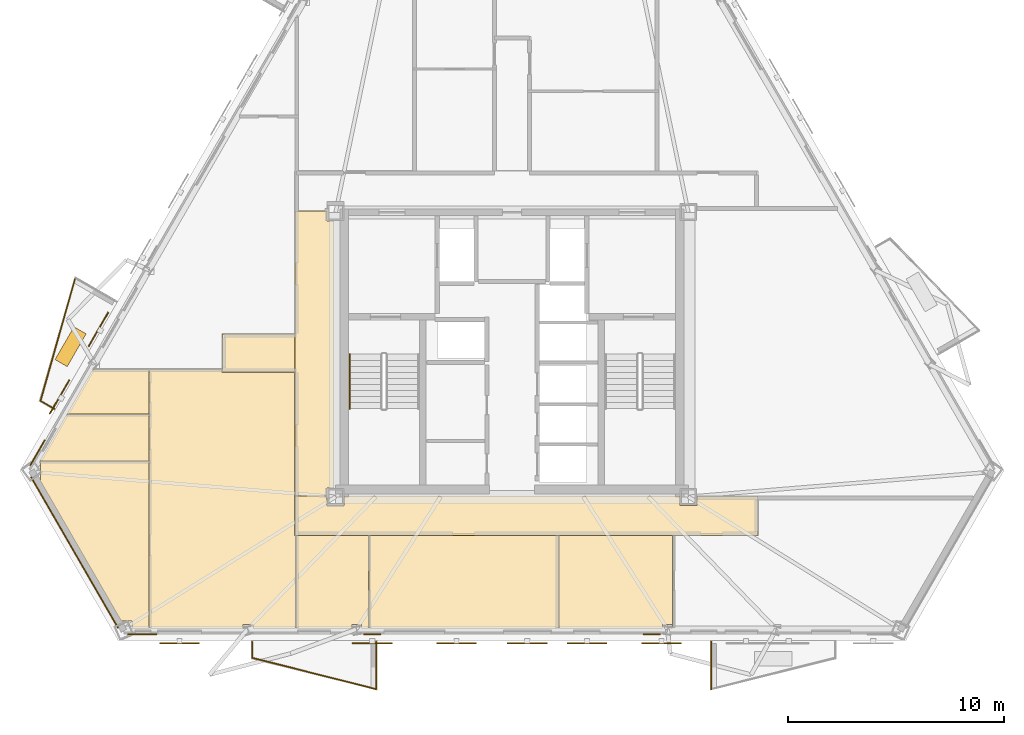
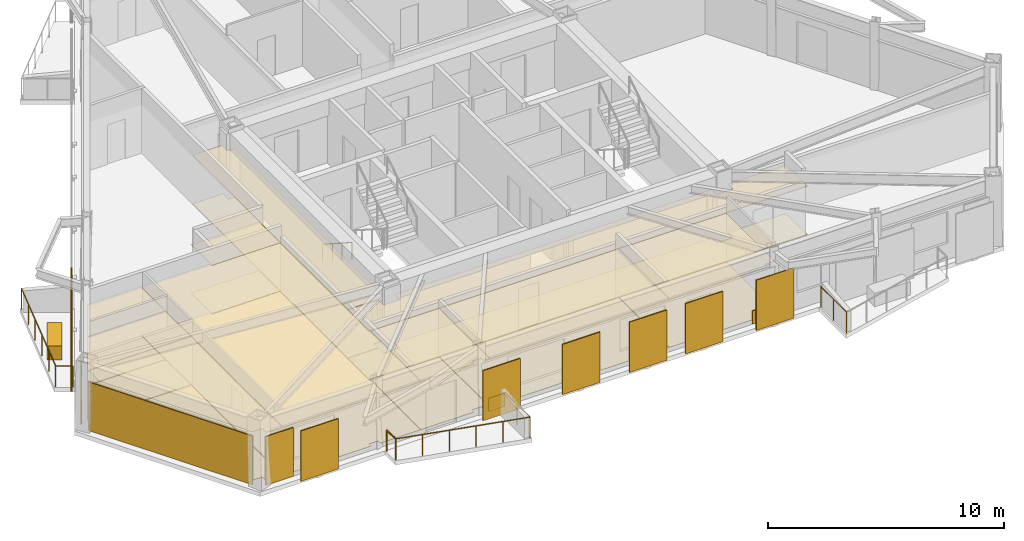
# One storey, part 6 of 8: 26 coverings, 8 shading devices, 7 railings.
"""IFC4 building model written with IfcOpenShell, lengths in metres."""

from ifc_helpers import new_model, si_unit, direction, frame, origin, origin_2d, place, context, subcontext, project, spatial, polyline, rectangle, circle, outline, extrude, material, layer, layer_set, type_object, element, save


model = new_model("IFC4")

# Units and contexts
model_context = context("Model", 3, precision=1e-05, world=origin(), true_north=direction((0.0, 1.0)))
body_context = subcontext(model_context, "Body", "Model", "MODEL_VIEW")
ifc_project = project(units=[si_unit("LENGTHUNIT", "METRE"), si_unit("AREAUNIT", "SQUARE_METRE"), si_unit("VOLUMEUNIT", "CUBIC_METRE"), si_unit("PLANEANGLEUNIT", "RADIAN"), si_unit("MASSUNIT", "GRAM", prefix="KILO")], contexts=[model_context])

# Site, building, storey
site_placement = place(None, origin())
site = spatial("IfcSite", under=ifc_project, at=site_placement, CompositionType="ELEMENT")
building_placement = place(site_placement, origin())
building = spatial("IfcBuilding", under=site, at=building_placement, Name="Oramaril Tower", CompositionType="ELEMENT")
storey_placement = place(building_placement, frame((0.0, 0.0, 171.0)))
storey = spatial("IfcBuildingStorey", under=building, at=storey_placement, Name="L45", CompositionType="ELEMENT", Elevation=171.0)

# Coverings
ifc_material_1 = material(Name="Mineral Fibre Acoustic Ceiling")
ifc_layer_1 = layer(ifc_material_1, 0.02001953125)
ifc_layer_set_1 = layer_set([ifc_layer_1], Name="CVT-CEIL")
covering_type_1 = type_object("IfcCoveringType", Name="CVT-CEIL", PredefinedType="CEILING", material=ifc_layer_set_1)
covering_1_placement = place(storey_placement, frame((0.0, 0.0, 2.511962890625)))
element("IfcCovering", 1, at=covering_1_placement, inside=storey, type_object=covering_type_1, Name="L45 Acoustic Suspended Ceiling 1", PredefinedType="CEILING", context=body_context, shape_type="SweptSolid", body=[
    extrude(outline(polyline([(28.955078125, 10.60498046875), (29.7451171875, 10.60498046875), (29.7451171875, 11.030029296875), (45.2548828125, 11.030029296875), (45.2548828125, 10.60498046875), (46.044921875, 10.60498046875), (46.044921875, 11.030029296875), (48.8798828125, 11.030029296875), (48.8798828125, 9.219970703125), (27.469970703125, 9.219970703125), (27.469970703125, 11.030029296875), (28.955078125, 11.030029296875), (28.955078125, 10.60498046875)])), origin(), (0.0, 0.0, 1.0), 0.02001953125),
])
covering_2_placement = place(storey_placement, frame((0.0, 0.0, 2.511962890625)))
element("IfcCovering", 2, at=covering_2_placement, inside=storey, type_object=covering_type_1, Name="L45 Acoustic Suspended Ceiling 3", PredefinedType="CEILING", context=body_context, shape_type="SweptSolid", body=[
    extrude(outline(polyline([(28.955078125, 23.7548828125), (29.280029296875, 23.7548828125), (29.280029296875, 11.39501953125), (28.955078125, 11.39501953125), (28.955078125, 11.050048828125), (27.469970703125, 11.050048828125), (27.469970703125, 24.219970703125), (28.955078125, 24.219970703125), (28.955078125, 23.7548828125)])), origin(), (0.0, 0.0, 1.0), 0.02001953125),
])
covering_3_placement = place(storey_placement, frame((0.0, 0.0, 2.511962890625)))
element("IfcCovering", 3, at=covering_3_placement, inside=storey, type_object=covering_type_1, Name="L45 Acoustic Suspended Ceiling 5", PredefinedType="CEILING", context=body_context, shape_type="SweptSolid", body=[
    extrude(outline(polyline([(24.1201171875, 16.77001953125), (24.1201171875, 18.530029296875), (27.449951171875, 18.530029296875), (27.449951171875, 16.77001953125), (24.1201171875, 16.77001953125)])), origin(), (0.0, 0.0, 1.0), 0.02001953125),
])
covering_4_placement = place(storey_placement, frame((0.0, 0.0, 2.511962890625)))
element("IfcCovering", 4, at=covering_4_placement, inside=storey, type_object=covering_type_1, Name="L45 Acoustic Suspended Ceiling 6", PredefinedType="CEILING", context=body_context, shape_type="SweptSolid", body=[
    extrude(outline(polyline([(30.882080078125, 4.918701171875), (30.882080078125, 9.199951171875), (39.64208984375, 9.199951171875), (39.64208984375, 4.918701171875), (30.882080078125, 4.918701171875)])), origin(), (0.0, 0.0, 1.0), 0.02001953125),
])
covering_5_placement = place(storey_placement, frame((0.0, 0.0, 2.511962890625)))
element("IfcCovering", 5, at=covering_5_placement, inside=storey, type_object=covering_type_1, Name="L45 Acoustic Suspended Ceiling 7", PredefinedType="CEILING", context=body_context, shape_type="SweptSolid", body=[
    extrude(outline(polyline([(30.546142578125, 5.103515625), (30.094482421875, 5.103515625), (30.094482421875, 4.918701171875), (27.508056640625, 4.918701171875), (27.508056640625, 9.199951171875), (30.862060546875, 9.199951171875), (30.862060546875, 4.918701171875), (30.546142578125, 4.918701171875), (30.546142578125, 5.103515625)])), origin(), (0.0, 0.0, 1.0), 0.02001953125),
])
covering_6_placement = place(storey_placement, frame((0.0, 0.0, 2.511962890625)))
element("IfcCovering", 6, at=covering_6_placement, inside=storey, type_object=covering_type_1, Name="L45 Acoustic Suspended Ceiling 9", PredefinedType="CEILING", context=body_context, shape_type="SweptSolid", body=[
    extrude(outline(polyline([(44.905517578125, 4.918701171875), (44.905517578125, 5.103515625), (44.453857421875, 5.103515625), (44.453857421875, 4.918701171875), (39.662109375, 4.918701171875), (39.662109375, 9.199951171875), (44.915283203125, 9.199951171875), (44.915283203125, 4.918701171875), (44.905517578125, 4.918701171875)])), origin(), (0.0, 0.0, 1.0), 0.02001953125),
])
covering_7_placement = place(storey_placement, frame((0.0, 0.0, 2.511962890625)))
element("IfcCovering", 7, at=covering_7_placement, inside=storey, type_object=covering_type_1, Name="L45 Acoustic Suspended Ceiling 10", PredefinedType="CEILING", context=body_context, shape_type="SweptSolid", body=[
    extrude(outline(polyline([(25.52490234375, 4.918701171875), (25.52490234375, 5.103515625), (25.064453125, 5.103515625), (25.064453125, 4.918701171875), (20.74072265625, 4.918701171875), (20.74072265625, 16.89208984375), (24.10009765625, 16.89208984375), (24.10009765625, 16.77001953125), (24.10009765625, 16.76806640625), (24.100341796875, 16.76611328125), (24.100830078125, 16.76416015625), (24.1015625, 16.76220703125), (24.102294921875, 16.760498046875), (24.103515625, 16.7587890625), (24.1044921875, 16.75732421875), (24.10595703125, 16.755859375), (24.107421875, 16.75439453125), (24.10888671875, 16.75341796875), (24.110595703125, 16.75244140625), (24.1123046875, 16.75146484375), (24.1142578125, 16.7509765625), (24.1162109375, 16.75048828125), (24.117919921875, 16.75), (24.1201171875, 16.75), (27.449951171875, 16.75), (27.449951171875, 11.050048828125), (27.4501953125, 11.048095703125), (27.450439453125, 11.046142578125), (27.450927734375, 11.044189453125), (27.451416015625, 11.042236328125), (27.452392578125, 11.04052734375), (27.45263671875, 11.0400390625), (27.452392578125, 11.039306640625), (27.451416015625, 11.03759765625), (27.450927734375, 11.035888671875), (27.450439453125, 11.033935546875), (27.4501953125, 11.031982421875), (27.449951171875, 11.030029296875), (27.449951171875, 9.219970703125), (27.4501953125, 9.218017578125), (27.450439453125, 9.216064453125), (27.450927734375, 9.214111328125), (27.451416015625, 9.21240234375), (27.452392578125, 9.210693359375), (27.453369140625, 9.208984375), (27.45458984375, 9.207275390625), (27.455810546875, 9.205810546875), (27.457275390625, 9.20458984375), (27.458984375, 9.203369140625), (27.460693359375, 9.202392578125), (27.46240234375, 9.201416015625), (27.464111328125, 9.200927734375), (27.466064453125, 9.200439453125), (27.468017578125, 9.2001953125), (27.469970703125, 9.199951171875), (27.488037109375, 9.199951171875), (27.488037109375, 4.918701171875), (25.52490234375, 4.918701171875)])), origin(), (0.0, 0.0, 1.0), 0.02001953125),
])
covering_8_placement = place(storey_placement, frame((0.0, 0.0, 2.511962890625)))
element("IfcCovering", 8, at=covering_8_placement, inside=storey, type_object=covering_type_1, Name="L45 Acoustic Suspended Ceiling 11", PredefinedType="CEILING", context=body_context, shape_type="SweptSolid", body=[
    extrude(outline(polyline([(19.936767578125, 4.918701171875), (19.936767578125, 5.25390625), (19.435546875, 5.25390625), (15.667724609375, 11.780029296875), (15.710205078125, 11.780029296875), (15.710205078125, 12.583984375), (15.630615234375, 12.583984375), (15.66259765625, 12.639404296875), (20.720703125, 12.639404296875), (20.720703125, 4.918701171875), (19.936767578125, 4.918701171875)])), origin(), (0.0, 0.0, 1.0), 0.02001953125),
])
covering_9_placement = place(storey_placement, frame((0.0, 0.0, 2.511962890625)))
element("IfcCovering", 9, at=covering_9_placement, inside=storey, type_object=covering_type_1, Name="L45 Acoustic Suspended Ceiling 12", PredefinedType="CEILING", context=body_context, shape_type="SweptSolid", body=[
    extrude(outline(polyline([(16.911376953125, 14.80224609375), (20.720703125, 14.80224609375), (20.720703125, 12.659423828125), (15.67431640625, 12.659423828125), (16.911376953125, 14.80224609375)])), origin(), (0.0, 0.0, 1.0), 0.02001953125),
])
covering_10_placement = place(storey_placement, frame((0.0, 0.0, 2.511962890625)))
element("IfcCovering", 10, at=covering_10_placement, inside=storey, type_object=covering_type_1, Name="L45 Acoustic Suspended Ceiling 13", PredefinedType="CEILING", context=body_context, shape_type="SweptSolid", body=[
    extrude(outline(polyline([(18.117919921875, 16.89208984375), (20.720703125, 16.89208984375), (20.720703125, 14.822265625), (16.9228515625, 14.822265625), (18.117919921875, 16.89208984375)])), origin(), (0.0, 0.0, 1.0), 0.02001953125),
])
ifc_material_2 = material(Name="Warm Cream Limestone", Category="masonry")
ifc_layer_2 = layer(ifc_material_2, 0.050048828125)
ifc_layer_set_2 = layer_set([ifc_layer_2], Name="CVT-CLD")
covering_type_2 = type_object("IfcCoveringType", Name="CVT-CLD", PredefinedType="CLADDING", material=ifc_layer_set_2)
covering_11_placement = place(storey_placement, frame((17.2841796875, 8.428466796875, 0.0400390625), z_axis=(0.0, 0.0, 1.0), x_axis=(0.4999984885, -0.866026276448, 0.0)))
element("IfcCovering", 11, at=covering_11_placement, inside=storey, type_object=covering_type_2, Name="L45 Warm Cream Limestone Cladding", PredefinedType="CLADDING", context=body_context, shape_type="SweptSolid", body=[
    extrude(rectangle(XDim=8.048828125, YDim=0.050048828125, at=origin_2d()), origin(), (0.0, 0.0, 1.0), 2.52001953125),
])
covering_12_placement = place(storey_placement, frame((20.416748046875, 4.642578125, 0.0400390625), z_axis=(0.0, 0.0, 1.0), x_axis=(1.0, 0.0, 0.0)))
element("IfcCovering", 12, at=covering_12_placement, inside=storey, type_object=covering_type_2, Name="L45 Warm Cream Limestone Cladding", PredefinedType="CLADDING", context=body_context, shape_type="SweptSolid", body=[
    extrude(rectangle(XDim=1.35009765625, YDim=0.050048828125, at=origin_2d()), origin(), (0.0, 0.0, 1.0), 2.52001953125),
])
for number, where, z_axis, x_axis, name in (
    (13, (31.0439453125, 4.642578125, 0.0400390625), (0.0, 0.0, 1.0), (1.0, 0.0, 0.0), "L45 Warm Cream Limestone Spandrel Cladding"),
    (14, (43.9560546875, 4.642578125, 0.0400390625), (0.0, 0.0, 1.0), (1.0, 0.0, 0.0), "L45 Warm Cream Limestone Spandrel Cladding"),
):
    element("IfcCovering", number, at=place(storey_placement, frame(where, z_axis=z_axis, x_axis=x_axis)), inside=storey, type_object=covering_type_2, Name=name, PredefinedType="CLADDING", context=body_context, shape_type="SweptSolid", body=[
        extrude(rectangle(XDim=0.800048828125, YDim=0.050048828125, at=origin_2d()), origin(), (0.0, 0.0, 1.0), 0.679931640625),
    ])
covering_13_placement = place(storey_placement, frame((15.572021484375, 13.0341796875, 0.0400390625), z_axis=(0.0, 0.0, 1.0), x_axis=(-0.5, -0.866025403784, 0.0)))
element("IfcCovering", 15, at=covering_13_placement, inside=storey, type_object=covering_type_2, Name="L45 Warm Cream Limestone Cladding", PredefinedType="CLADDING", context=body_context, shape_type="SweptSolid", body=[
    extrude(rectangle(XDim=1.35009765625, YDim=0.050048828125, at=origin_2d()), origin(), (0.0, 0.0, 1.0), 2.52001953125),
])
covering_14_placement = place(storey_placement, frame((17.09912109375, 17.936767578125, 0.0), z_axis=(0.0, 0.0, 1.0), x_axis=(-0.500001511499, -0.866024531118, 0.0)))
element("IfcCovering", 16, at=covering_14_placement, inside=storey, type_object=covering_type_2, Name="L45 Structural Tree Planter Box L45-BAL-NW2", PredefinedType="CLADDING", context=body_context, shape_type="SweptSolid", body=[
    extrude(rectangle(XDim=1.75, YDim=0.64990234375, at=origin_2d()), origin(), (0.0, 0.0, 1.0), 0.699951171875),
])
ifc_material_3 = material(Name="Honed Quartzite Stone Flooring", Category="masonry")
ifc_layer_3 = layer(ifc_material_3, 0.02490234375)
ifc_layer_set_3 = layer_set([ifc_layer_3], Name="CVT-FLR")
covering_type_3 = type_object("IfcCoveringType", Name="CVT-FLR", PredefinedType="FLOORING", material=ifc_layer_set_3)
covering_15_placement = place(storey_placement, origin())
element("IfcCovering", 17, at=covering_15_placement, inside=storey, type_object=covering_type_3, Name="L45 Honed Stone Floor Finish 1", PredefinedType="FLOORING", context=body_context, shape_type="SweptSolid", body=[
    extrude(outline(polyline([(28.955078125, 10.60498046875), (29.7451171875, 10.60498046875), (29.7451171875, 11.030029296875), (45.2548828125, 11.030029296875), (45.2548828125, 10.60498046875), (46.044921875, 10.60498046875), (46.044921875, 11.030029296875), (48.8798828125, 11.030029296875), (48.8798828125, 9.219970703125), (27.469970703125, 9.219970703125), (27.469970703125, 11.030029296875), (28.955078125, 11.030029296875), (28.955078125, 10.60498046875)])), origin(), (0.0, 0.0, 1.0), 0.02490234375),
])
covering_16_placement = place(storey_placement, origin())
element("IfcCovering", 18, at=covering_16_placement, inside=storey, type_object=covering_type_3, Name="L45 Honed Stone Floor Finish 3", PredefinedType="FLOORING", context=body_context, shape_type="SweptSolid", body=[
    extrude(outline(polyline([(28.955078125, 23.7548828125), (29.280029296875, 23.7548828125), (29.280029296875, 11.39501953125), (28.955078125, 11.39501953125), (28.955078125, 11.050048828125), (27.469970703125, 11.050048828125), (27.469970703125, 24.219970703125), (28.955078125, 24.219970703125), (28.955078125, 23.7548828125)])), origin(), (0.0, 0.0, 1.0), 0.02490234375),
])
covering_17_placement = place(storey_placement, origin())
element("IfcCovering", 19, at=covering_17_placement, inside=storey, type_object=covering_type_3, Name="L45 Honed Stone Floor Finish 5", PredefinedType="FLOORING", context=body_context, shape_type="SweptSolid", body=[
    extrude(outline(polyline([(24.1201171875, 16.77001953125), (24.1201171875, 18.530029296875), (27.449951171875, 18.530029296875), (27.449951171875, 16.77001953125), (24.1201171875, 16.77001953125)])), origin(), (0.0, 0.0, 1.0), 0.02490234375),
])
covering_18_placement = place(storey_placement, origin())
element("IfcCovering", 20, at=covering_18_placement, inside=storey, type_object=covering_type_3, Name="L45 Honed Stone Floor Finish 6", PredefinedType="FLOORING", context=body_context, shape_type="SweptSolid", body=[
    extrude(outline(polyline([(30.882080078125, 4.918701171875), (30.882080078125, 9.199951171875), (39.64208984375, 9.199951171875), (39.64208984375, 4.918701171875), (30.882080078125, 4.918701171875)])), origin(), (0.0, 0.0, 1.0), 0.02490234375),
])
covering_19_placement = place(storey_placement, origin())
element("IfcCovering", 21, at=covering_19_placement, inside=storey, type_object=covering_type_3, Name="L45 Honed Stone Floor Finish 7", PredefinedType="FLOORING", context=body_context, shape_type="SweptSolid", body=[
    extrude(outline(polyline([(30.546142578125, 5.103515625), (30.094482421875, 5.103515625), (30.094482421875, 4.918701171875), (27.508056640625, 4.918701171875), (27.508056640625, 9.199951171875), (30.862060546875, 9.199951171875), (30.862060546875, 4.918701171875), (30.546142578125, 4.918701171875), (30.546142578125, 5.103515625)])), origin(), (0.0, 0.0, 1.0), 0.02490234375),
])
covering_20_placement = place(storey_placement, origin())
element("IfcCovering", 22, at=covering_20_placement, inside=storey, type_object=covering_type_3, Name="L45 Honed Stone Floor Finish 9", PredefinedType="FLOORING", context=body_context, shape_type="SweptSolid", body=[
    extrude(outline(polyline([(44.905517578125, 4.918701171875), (44.905517578125, 5.103515625), (44.453857421875, 5.103515625), (44.453857421875, 4.918701171875), (39.662109375, 4.918701171875), (39.662109375, 9.199951171875), (44.915283203125, 9.199951171875), (44.915283203125, 4.918701171875), (44.905517578125, 4.918701171875)])), origin(), (0.0, 0.0, 1.0), 0.02490234375),
])
covering_21_placement = place(storey_placement, origin())
element("IfcCovering", 23, at=covering_21_placement, inside=storey, type_object=covering_type_3, Name="L45 Honed Stone Floor Finish 10", PredefinedType="FLOORING", context=body_context, shape_type="SweptSolid", body=[
    extrude(outline(polyline([(25.52490234375, 4.918701171875), (25.52490234375, 5.103515625), (25.064453125, 5.103515625), (25.064453125, 4.918701171875), (20.74072265625, 4.918701171875), (20.74072265625, 16.89208984375), (24.10009765625, 16.89208984375), (24.10009765625, 16.77001953125), (24.10009765625, 16.76806640625), (24.100341796875, 16.76611328125), (24.100830078125, 16.76416015625), (24.1015625, 16.76220703125), (24.102294921875, 16.760498046875), (24.103515625, 16.7587890625), (24.1044921875, 16.75732421875), (24.10595703125, 16.755859375), (24.107421875, 16.75439453125), (24.10888671875, 16.75341796875), (24.110595703125, 16.75244140625), (24.1123046875, 16.75146484375), (24.1142578125, 16.7509765625), (24.1162109375, 16.75048828125), (24.117919921875, 16.75), (24.1201171875, 16.75), (27.449951171875, 16.75), (27.449951171875, 11.050048828125), (27.4501953125, 11.048095703125), (27.450439453125, 11.046142578125), (27.450927734375, 11.044189453125), (27.451416015625, 11.042236328125), (27.452392578125, 11.04052734375), (27.45263671875, 11.0400390625), (27.452392578125, 11.039306640625), (27.451416015625, 11.03759765625), (27.450927734375, 11.035888671875), (27.450439453125, 11.033935546875), (27.4501953125, 11.031982421875), (27.449951171875, 11.030029296875), (27.449951171875, 9.219970703125), (27.4501953125, 9.218017578125), (27.450439453125, 9.216064453125), (27.450927734375, 9.214111328125), (27.451416015625, 9.21240234375), (27.452392578125, 9.210693359375), (27.453369140625, 9.208984375), (27.45458984375, 9.207275390625), (27.455810546875, 9.205810546875), (27.457275390625, 9.20458984375), (27.458984375, 9.203369140625), (27.460693359375, 9.202392578125), (27.46240234375, 9.201416015625), (27.464111328125, 9.200927734375), (27.466064453125, 9.200439453125), (27.468017578125, 9.2001953125), (27.469970703125, 9.199951171875), (27.488037109375, 9.199951171875), (27.488037109375, 4.918701171875), (25.52490234375, 4.918701171875)])), origin(), (0.0, 0.0, 1.0), 0.02490234375),
])
covering_22_placement = place(storey_placement, origin())
element("IfcCovering", 24, at=covering_22_placement, inside=storey, type_object=covering_type_3, Name="L45 Honed Stone Floor Finish 11", PredefinedType="FLOORING", context=body_context, shape_type="SweptSolid", body=[
    extrude(outline(polyline([(19.936767578125, 4.918701171875), (19.936767578125, 5.25390625), (19.435546875, 5.25390625), (15.667724609375, 11.780029296875), (15.710205078125, 11.780029296875), (15.710205078125, 12.583984375), (15.630615234375, 12.583984375), (15.66259765625, 12.639404296875), (20.720703125, 12.639404296875), (20.720703125, 4.918701171875), (19.936767578125, 4.918701171875)])), origin(), (0.0, 0.0, 1.0), 0.02490234375),
])
covering_23_placement = place(storey_placement, origin())
element("IfcCovering", 25, at=covering_23_placement, inside=storey, type_object=covering_type_3, Name="L45 Honed Stone Floor Finish 12", PredefinedType="FLOORING", context=body_context, shape_type="SweptSolid", body=[
    extrude(outline(polyline([(16.911376953125, 14.80224609375), (20.720703125, 14.80224609375), (20.720703125, 12.659423828125), (15.67431640625, 12.659423828125), (16.911376953125, 14.80224609375)])), origin(), (0.0, 0.0, 1.0), 0.02490234375),
])
covering_24_placement = place(storey_placement, origin())
element("IfcCovering", 26, at=covering_24_placement, inside=storey, type_object=covering_type_3, Name="L45 Honed Stone Floor Finish 13", PredefinedType="FLOORING", context=body_context, shape_type="SweptSolid", body=[
    extrude(outline(polyline([(18.117919921875, 16.89208984375), (20.720703125, 16.89208984375), (20.720703125, 14.822265625), (16.9228515625, 14.822265625), (18.117919921875, 16.89208984375)])), origin(), (0.0, 0.0, 1.0), 0.02490234375),
])

# Railings
ifc_material_4 = material(Name="Stainless Steel 316L", Category="steel")
railing_type_1 = type_object("IfcRailingType", Name="RLT-GRD", PredefinedType="GUARDRAIL", material=ifc_material_4)
railing_1_placement = place(storey_placement, frame((31.21630859375, 4.302490234375, 0.0)))
element("IfcRailing", 27, at=railing_1_placement, inside=storey, type_object=railing_type_1, Name="L45 Balcony Guardrail L45-BAL-S1.1", PredefinedType="GUARDRAIL", context=body_context, shape_type="SweptSolid", body=[
    extrude(circle(Radius=0.02392578125, at=origin_2d()), frame((0.0, 0.0, 1.076171875), z_axis=(0.0, -1.0, 0.0), x_axis=(1.0, 0.0, 0.0)), (0.0, 0.0, 1.0), 2.19189453125),
    extrude(circle(Radius=0.02099609375, at=origin_2d()), origin(), (0.0, 0.0, 1.0), 1.052001953125),
    extrude(circle(Radius=0.02099609375, at=origin_2d()), frame((0.0, -1.095947265625, 0.0)), (0.0, 0.0, 1.0), 1.052001953125),
    extrude(circle(Radius=0.02099609375, at=origin_2d()), frame((0.0, -2.19189453125, 0.0)), (0.0, 0.0, 1.0), 1.052001953125),
])
railing_2_placement = place(storey_placement, frame((31.21630859375, 2.110595703125, 0.0)))
element("IfcRailing", 28, at=railing_2_placement, inside=storey, type_object=railing_type_1, Name="L45 Balcony Guardrail L45-BAL-S1.2", PredefinedType="GUARDRAIL", context=body_context, shape_type="SweptSolid", body=[
    extrude(circle(Radius=0.02392578125, at=origin_2d()), frame((0.0, 0.0, 1.076171875), z_axis=(-0.969446096844, 0.245304433946, 0.0), x_axis=(-0.245304433946, -0.969446096844, 0.0)), (0.0, 0.0, 1.0), 5.910888671875),
    extrude(circle(Radius=0.02099609375, at=origin_2d()), origin(), (0.0, 0.0, 1.0), 1.052001953125),
    extrude(circle(Radius=0.02099609375, at=origin_2d()), frame((-1.14599609375, 0.2900390625, 0.0)), (0.0, 0.0, 1.0), 1.052001953125),
    extrude(circle(Radius=0.02099609375, at=origin_2d()), frame((-2.2919921875, 0.580078125, 0.0)), (0.0, 0.0, 1.0), 1.052001953125),
    extrude(circle(Radius=0.02099609375, at=origin_2d()), frame((-3.438232421875, 0.869873046875, 0.0)), (0.0, 0.0, 1.0), 1.052001953125),
    extrude(circle(Radius=0.02099609375, at=origin_2d()), frame((-4.584228515625, 1.159912109375, 0.0)), (0.0, 0.0, 1.0), 1.052001953125),
    extrude(circle(Radius=0.02099609375, at=origin_2d()), frame((-5.730224609375, 1.449951171875, 0.0)), (0.0, 0.0, 1.0), 1.052001953125),
])
railing_3_placement = place(storey_placement, frame((25.486083984375, 3.560546875, 0.0)))
element("IfcRailing", 29, at=railing_3_placement, inside=storey, type_object=railing_type_1, Name="L45 Balcony Guardrail L45-BAL-S1.3", PredefinedType="GUARDRAIL", context=body_context, shape_type="SweptSolid", body=[
    extrude(circle(Radius=0.02392578125, at=origin_2d()), frame((0.0, 0.0, 1.076171875), z_axis=(0.0, 1.0, 0.0), x_axis=(-1.0, 0.0, 0.0)), (0.0, 0.0, 1.0), 0.741943359375),
    extrude(circle(Radius=0.02099609375, at=origin_2d()), origin(), (0.0, 0.0, 1.0), 1.052001953125),
    extrude(circle(Radius=0.02099609375, at=origin_2d()), frame((0.0, 0.741943359375, 0.0)), (0.0, 0.0, 1.0), 1.052001953125),
])
railing_4_placement = place(storey_placement, frame((46.708740234375, 2.110595703125, 0.0)))
element("IfcRailing", 30, at=railing_4_placement, inside=storey, type_object=railing_type_1, Name="L45 Balcony Guardrail L45-BAL-S2.3", PredefinedType="GUARDRAIL", context=body_context, shape_type="SweptSolid", body=[
    extrude(circle(Radius=0.02392578125, at=origin_2d()), frame((0.0, 0.0, 1.076171875), z_axis=(0.0, 1.0, 0.0), x_axis=(-1.0, 0.0, 0.0)), (0.0, 0.0, 1.0), 2.19189453125),
    extrude(circle(Radius=0.02099609375, at=origin_2d()), origin(), (0.0, 0.0, 1.0), 1.052001953125),
    extrude(circle(Radius=0.02099609375, at=origin_2d()), frame((0.0, 1.095947265625, 0.0)), (0.0, 0.0, 1.0), 1.052001953125),
    extrude(circle(Radius=0.02099609375, at=origin_2d()), frame((0.0, 2.19189453125, 0.0)), (0.0, 0.0, 1.0), 1.052001953125),
])
railing_5_placement = place(storey_placement, frame((16.349609375, 15.061279296875, 0.0)))
element("IfcRailing", 31, at=railing_5_placement, inside=storey, type_object=railing_type_1, Name="L45 Balcony Guardrail L45-BAL-NW2.1", PredefinedType="GUARDRAIL", context=body_context, shape_type="SweptSolid", body=[
    extrude(circle(Radius=0.02392578125, at=origin_2d()), frame((0.0, 0.0, 1.076171875), z_axis=(-0.865966403178, 0.500102178127, 0.0), x_axis=(-0.500102178127, -0.865966403178, 0.0)), (0.0, 0.0, 1.0), 0.741943359375),
    extrude(circle(Radius=0.02099609375, at=origin_2d()), origin(), (0.0, 0.0, 1.0), 1.052001953125),
    extrude(circle(Radius=0.02099609375, at=origin_2d()), frame((-0.642578125, 0.37109375, 0.0)), (0.0, 0.0, 1.0), 1.052001953125),
])
railing_6_placement = place(storey_placement, frame((15.70703125, 15.432373046875, 0.0)))
element("IfcRailing", 32, at=railing_6_placement, inside=storey, type_object=railing_type_1, Name="L45 Balcony Guardrail L45-BAL-NW2.2", PredefinedType="GUARDRAIL", context=body_context, shape_type="SweptSolid", body=[
    extrude(circle(Radius=0.02392578125, at=origin_2d()), frame((0.0, 0.0, 1.076171875), z_axis=(0.272287109361, 0.962216051662, 0.0), x_axis=(-0.962216051662, 0.272287109361, 0.0)), (0.0, 0.0, 1.0), 5.91064453125),
    extrude(circle(Radius=0.02099609375, at=origin_2d()), origin(), (0.0, 0.0, 1.0), 1.052001953125),
    extrude(circle(Radius=0.02099609375, at=origin_2d()), frame((0.32177734375, 1.137451171875, 0.0)), (0.0, 0.0, 1.0), 1.052001953125),
    extrude(circle(Radius=0.02099609375, at=origin_2d()), frame((0.643798828125, 2.27490234375, 0.0)), (0.0, 0.0, 1.0), 1.052001953125),
    extrude(circle(Radius=0.02099609375, at=origin_2d()), frame((0.965576171875, 3.412353515625, 0.0)), (0.0, 0.0, 1.0), 1.052001953125),
    extrude(circle(Radius=0.02099609375, at=origin_2d()), frame((1.28759765625, 4.5498046875, 0.0)), (0.0, 0.0, 1.0), 1.052001953125),
    extrude(circle(Radius=0.02099609375, at=origin_2d()), frame((1.609375, 5.687255859375, 0.0)), (0.0, 0.0, 1.0), 1.052001953125),
])
ifc_material_5 = material(Name="Stainless Steel 316L", Category="steel")
railing_type_2 = type_object("IfcRailingType", Name="RLT-HND", PredefinedType="HANDRAIL", material=ifc_material_5)
railing_7_placement = place(storey_placement, frame((30.0, 17.590087890625, 0.179931640625)))
element("IfcRailing", 33, at=railing_7_placement, inside=storey, type_object=railing_type_2, Name="L45 ST-1 stair handrail 1", PredefinedType="HANDRAIL", context=body_context, shape_type="SweptSolid", body=[
    extrude(circle(Radius=0.02392578125, at=origin_2d()), frame((0.0, 0.0, 0.8759765625), z_axis=(0.0, -0.841162588446, 0.540782303519), x_axis=(1.0, 0.0, 0.0)), (0.0, 0.0, 1.0), 2.995849609375),
    extrude(circle(Radius=0.02099609375, at=origin_2d()), origin(), (0.0, 0.0, 1.0), 0.851806640625),
    extrude(circle(Radius=0.02099609375, at=origin_2d()), frame((0.0, -0.840087890625, 0.5400390625)), (0.0, 0.0, 1.0), 0.851806640625),
    extrude(circle(Radius=0.02099609375, at=origin_2d()), frame((0.0, -1.679931640625, 1.080078125)), (0.0, 0.0, 1.0), 0.851806640625),
    extrude(circle(Radius=0.02099609375, at=origin_2d()), frame((0.0, -2.52001953125, 1.6201171875)), (0.0, 0.0, 1.0), 0.851806640625),
])

# Shading devices
for number, where, z_axis, x_axis, name in (
    (34, (31.03955078125, 4.230712890625, -0.02001953125), (0.0, 0.0, 1.0), (1.0, 0.0, 0.0), "L45 Perforated Ceramic Solar Screen"),
    (35, (34.939453125, 4.230712890625, -0.02001953125), (0.0, 0.0, 1.0), (1.0, 0.0, 0.0), "L45 Perforated Ceramic Solar Screen"),
    (36, (38.20703125, 4.230712890625, -0.02001953125), (0.0, 0.0, 1.0), (1.0, 0.0, 0.0), "L45 Perforated Ceramic Solar Screen"),
    (37, (44.414794921875, 4.230712890625, -0.02001953125), (0.0, 0.0, 1.0), (1.0, 0.0, 0.0), "L45 Perforated Ceramic Solar Screen"),
    (38, (40.96044921875, 4.230712890625, -0.02001953125), (0.0, 0.0, 1.0), (1.0, 0.0, 0.0), "L45 Perforated Ceramic Solar Screen"),
    (39, (22.13818359375, 4.230712890625, -0.02001953125), (0.0, 0.0, 1.0), (1.0, 0.0, 0.0), "L45 Perforated Ceramic Solar Screen"),
    (40, (16.583251953125, 15.610107421875, -0.02001953125), (0.0, 0.0, 1.0), (-0.5, -0.866025403784, 0.0), "L45 Perforated Ceramic Solar Screen"),
    (41, (18.3876953125, 18.7353515625, -0.02001953125), (0.0, 0.0, 1.0), (-0.5, -0.866025403784, 0.0), "L45 Perforated Ceramic Solar Screen"),
):
    element("IfcShadingDevice", number, at=place(storey_placement, frame(where, z_axis=z_axis, x_axis=x_axis)), inside=storey, Name=name, ObjectType="SCREEN", PredefinedType="USERDEFINED", context=body_context, shape_type="SweptSolid", body=[
        extrude(rectangle(XDim=1.8330078125, YDim=0.050048828125, at=origin_2d()), origin(), (0.0, 0.0, 1.0), 2.60009765625),
    ])

save(model, "model.ifc")
